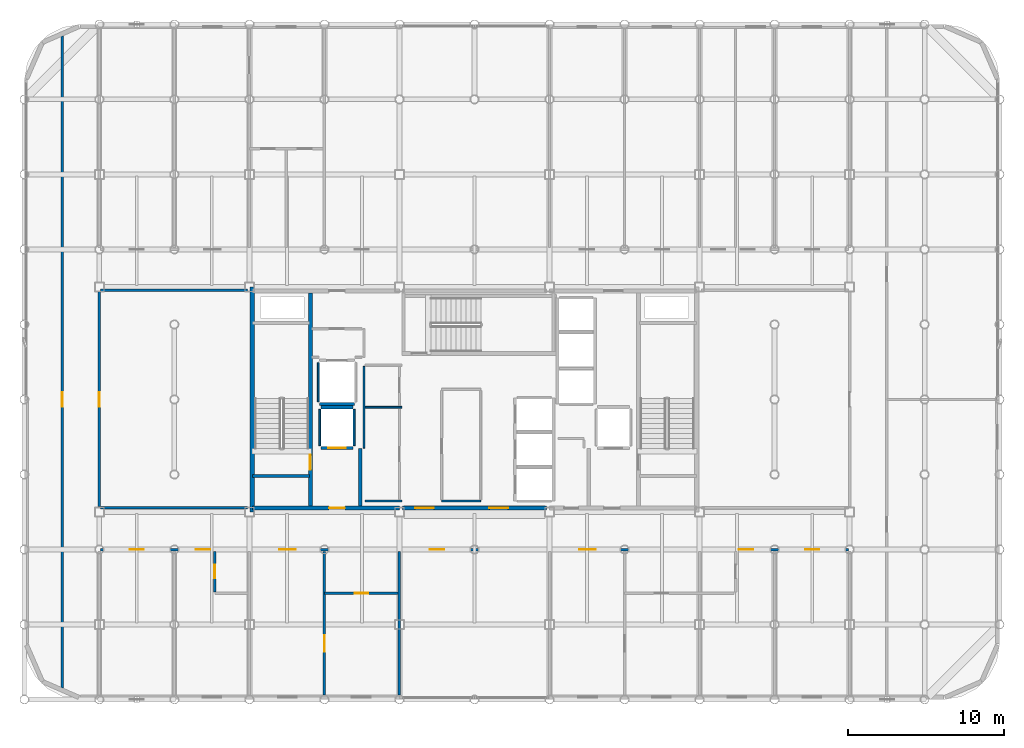
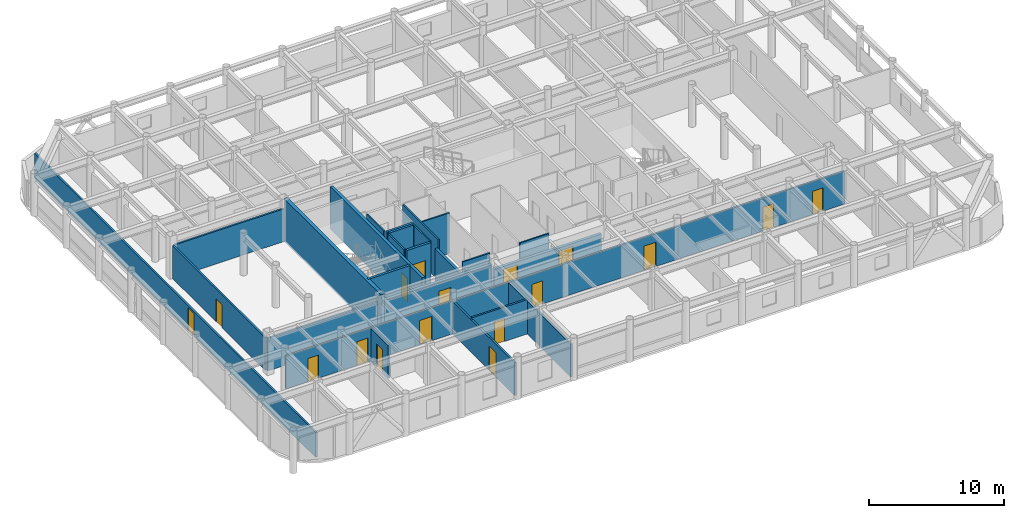
# One storey, part 18 of 22: 25 walls, 17 doors, 17 openings.
"""IFC4 building model written with IfcOpenShell, lengths in metres."""

import ifcopenshell
import ifcopenshell.guid

model = None  # the IFC model being written
_history = None  # IfcOwnerHistory: only IFC2X3 demands one
_inside = {}  # id of a spatial element -> (the spatial element, [elements in it])
_under = {}  # id of a project, library or spatial element -> (it, [spatial elements below it])
_declared = {}  # id of a project -> (the project, [libraries it declares])
_typed = {}  # id of a type object -> (the type object, [elements of that type])
_made_of = {}  # id of a material, layer set ... -> (it, [elements and type objects made of it])


def new_model(schema):
    """Start an empty IFC model of exactly this schema.

    Asked for "IFC4X3", IfcOpenShell would pick the latest addendum, in which some entities
    have other attributes; the version numbers below select the first issue.
    IFC2X3 requires an IfcOwnerHistory on every rooted entity: one is made here for all.
    """
    global model, _history
    if schema == "IFC4X3":
        model = ifcopenshell.file(schema_version=(4, 3, 0, 0))
    else:
        model = ifcopenshell.file(schema=schema)
    _inside.clear()
    _under.clear()
    _declared.clear()
    _typed.clear()
    _made_of.clear()
    _history = None
    if model.schema == "IFC2X3":
        org = make("IfcOrganization", Name="unknown")
        user = make(
            "IfcPersonAndOrganization",
            ThePerson=make("IfcPerson", FamilyName="unknown"),
            TheOrganization=org,
        )
        app = make(
            "IfcApplication",
            ApplicationDeveloper=org,
            Version="unknown",
            ApplicationFullName="unknown",
            ApplicationIdentifier="unknown",
        )
        _history = make(
            "IfcOwnerHistory",
            OwningUser=user,
            OwningApplication=app,
            ChangeAction="ADDED",
            CreationDate=0,
        )
    return model


def make(cls, **values):
    """One entity of the class cls with the attributes given. An attribute that is None is left unset."""
    return model.create_entity(
        cls, **{name: value for name, value in values.items() if value is not None}
    )


def rooted(cls, **values):
    """An entity with a GlobalId (a new one), such as an element, a storey or a relation."""
    return make(cls, GlobalId=ifcopenshell.guid.new(), OwnerHistory=_history, **values)


def si_unit(unit_type, name, prefix=None):
    """IfcSIUnit, for example si_unit("LENGTHUNIT", "METRE", prefix="MILLI")."""
    return make("IfcSIUnit", UnitType=unit_type, Prefix=prefix, Name=name)


def assignment(units):
    """IfcUnitAssignment: the units of a project."""
    return None if units is None else make("IfcUnitAssignment", Units=units)


def point(xyz):
    """IfcCartesianPoint."""
    return None if xyz is None else make("IfcCartesianPoint", Coordinates=xyz)


def direction(xyz):
    """IfcDirection."""
    return None if xyz is None else make("IfcDirection", DirectionRatios=xyz)


def frame(location, z_axis=None, x_axis=None):
    """IfcAxis2Placement3D, a coordinate frame: its origin and axes. An axis left out is left unset."""
    return make(
        "IfcAxis2Placement3D",
        Location=point(location),
        Axis=direction(z_axis),
        RefDirection=direction(x_axis),
    )


def frame_2d(location, x_axis=None):
    """IfcAxis2Placement2D, a coordinate frame in the plane: its origin and x axis."""
    return make(
        "IfcAxis2Placement2D", Location=point(location), RefDirection=direction(x_axis)
    )


def origin():
    """The frame at (0, 0, 0) with its axes left unset."""
    return frame((0.0, 0.0, 0.0))


def place(relative_to, where):
    """IfcLocalPlacement: puts the frame where relative to a parent placement (None: the world)."""
    return make(
        "IfcLocalPlacement", PlacementRelTo=relative_to, RelativePlacement=where
    )


def context(
    kind, dimensions, precision=None, world=None, true_north=None, identifier=None
):
    """IfcGeometricRepresentationContext, for example the 3D "Model" context."""
    return make(
        "IfcGeometricRepresentationContext",
        ContextIdentifier=identifier,
        ContextType=kind,
        CoordinateSpaceDimension=dimensions,
        Precision=precision,
        WorldCoordinateSystem=world,
        TrueNorth=true_north,
    )


def subcontext(parent, identifier, kind, view, scale=None):
    """IfcGeometricRepresentationSubContext, for example "Body" below "Model"."""
    return make(
        "IfcGeometricRepresentationSubContext",
        ContextIdentifier=identifier,
        ContextType=kind,
        ParentContext=parent,
        TargetScale=scale,
        TargetView=view,
    )


def project(units=None, contexts=None):
    """IfcProject with its units and contexts."""
    return rooted(
        "IfcProject",
        Name="project",
        RepresentationContexts=contexts,
        UnitsInContext=assignment(units),
    )


def spatial(cls, under=None, at=None, **own):
    """A site, building, storey or space (cls), placed at a placement, below another one or the project."""
    s = rooted(cls, ObjectPlacement=at, **own)
    if under is not None:
        _under.setdefault(under.id(), (under, []))[1].append(s)
    return s


def profile(cls, at=None, kind="AREA", **sizes):
    """A parametric profile (cls). Its sizes go by their IFC names, for example OverallWidth=200.0."""
    return make(cls, ProfileType=kind, Position=at, **sizes)


def rectangle(**sizes):
    """IfcRectangleProfileDef."""
    return profile("IfcRectangleProfileDef", **sizes)


def extrude(swept, where, along, depth):
    """IfcExtrudedAreaSolid: the profile swept, set in the frame where, extruded along a direction by depth."""
    return make(
        "IfcExtrudedAreaSolid",
        SweptArea=swept,
        Position=where,
        ExtrudedDirection=direction(along),
        Depth=depth,
    )


def shape(context_of_items, identifier, shape_type, items):
    """IfcShapeRepresentation: the items that make up one representation, for example the "Body"."""
    return make(
        "IfcShapeRepresentation",
        ContextOfItems=context_of_items,
        RepresentationIdentifier=identifier,
        RepresentationType=shape_type,
        Items=items,
    )


def material(Name=None, Category=None):
    """IfcMaterial."""
    return make("IfcMaterial", Name=Name, Category=Category)


def layer(
    of_material, thickness, ventilated=None, Name=None, Category=None, Priority=None
):
    """IfcMaterialLayer: one layer of a wall or slab, of a material (None: an air gap)."""
    return make(
        "IfcMaterialLayer",
        Material=of_material,
        LayerThickness=thickness,
        IsVentilated=ventilated,
        Name=Name,
        Category=Category,
        Priority=Priority,
    )


def layer_set(layers, Name=None):
    """IfcMaterialLayerSet."""
    return make("IfcMaterialLayerSet", MaterialLayers=layers, LayerSetName=Name)


def made_of(thing, what):
    """Note that an element or type object is made of a material, layer set ...; save() writes the relation."""
    if what is not None:
        _made_of.setdefault(what.id(), (what, []))[1].append(thing)
    return thing


def type_object(cls, material=None, **own):
    """A type object (cls), such as IfcWallType, which elements share."""
    return made_of(rooted(cls, **own), material)


def element(
    cls,
    number,
    at=None,
    inside=None,
    cuts=None,
    type_object=None,
    material=None,
    context=None,
    identifier="Body",
    shape_type=None,
    held_by="IfcProductDefinitionShape",
    body=None,
    shapes=None,
    **own,
):
    """One element of the class cls, such as IfcWall. Its Tag is "e" and its number.

    at: its placement. inside: the storey or other place that contains it. cuts: it is an
    opening in that element (IfcRelVoidsElement). A single representation is given by context,
    identifier, shape_type and body (its items); several are given by shapes. held_by: the class
    of the entity that holds the representations. save() writes the other relations.
    """
    e = rooted(cls, Tag="e%d" % number, ObjectPlacement=at, **own)
    if body is not None:
        shapes = [shape(context, identifier, shape_type, body)]
    if shapes is not None:
        e.Representation = make(held_by, Representations=shapes)
    if inside is not None:
        _inside.setdefault(inside.id(), (inside, []))[1].append(e)
    if cuts is not None:
        rooted(
            "IfcRelVoidsElement", RelatingBuildingElement=cuts, RelatedOpeningElement=e
        )
    if type_object is not None:
        _typed.setdefault(type_object.id(), (type_object, []))[1].append(e)
    return made_of(e, material)


def fill(opening, filler):
    """IfcRelFillsElement: the door or window that sits in an opening."""
    return rooted(
        "IfcRelFillsElement",
        RelatingOpeningElement=opening,
        RelatedBuildingElement=filler,
    )


def aggregate(whole, parts):
    """IfcRelAggregates: a whole, such as a stair, and the parts it consists of."""
    return rooted("IfcRelAggregates", RelatingObject=whole, RelatedObjects=parts)


def save(model, path):
    """Write the relations noted so far, then the file.

    IfcRelAggregates (storeys below a building ...), IfcRelContainedInSpatialStructure (elements
    in a storey), IfcRelDefinesByType, IfcRelAssociatesMaterial and IfcRelDeclares: one each for
    every whole, place, type object, material and project.
    """
    for whole, parts in _under.values():
        aggregate(whole, parts)
    for where, things in _inside.values():
        rooted(
            "IfcRelContainedInSpatialStructure",
            RelatedElements=things,
            RelatingStructure=where,
        )
    for kind, things in _typed.values():
        rooted("IfcRelDefinesByType", RelatedObjects=things, RelatingType=kind)
    for what, things in _made_of.values():
        rooted("IfcRelAssociatesMaterial", RelatedObjects=things, RelatingMaterial=what)
    for by, libraries in _declared.values():
        rooted("IfcRelDeclares", RelatingContext=by, RelatedDefinitions=libraries)
    model.write(path)


model = new_model("IFC4")

# Units and contexts
model_context = context("Model", 3, precision=1e-05, world=origin(), true_north=direction((0.0, 1.0)))
body_context = subcontext(model_context, "Body", "Model", "MODEL_VIEW")
ifc_project = project(units=[si_unit("LENGTHUNIT", "METRE"), si_unit("AREAUNIT", "SQUARE_METRE"), si_unit("VOLUMEUNIT", "CUBIC_METRE"), si_unit("PLANEANGLEUNIT", "RADIAN"), si_unit("MASSUNIT", "GRAM", prefix="KILO")], contexts=[model_context])

# Site, building, storey
site_placement = place(None, origin())
site = spatial("IfcSite", under=ifc_project, at=site_placement, CompositionType="ELEMENT")
building_placement = place(site_placement, origin())
building = spatial("IfcBuilding", under=site, at=building_placement, Name="Kallvorn Hotel Tower", CompositionType="ELEMENT")
storey_placement = place(building_placement, frame((0.0, 0.0, 241.550048828125)))
storey = spatial("IfcBuildingStorey", under=building, at=storey_placement, Name="L60", CompositionType="ELEMENT", Elevation=241.550048828125)

# Wall
ifc_material_1 = material(Name="Concrete C50/60", Category="concrete")
ifc_layer_1 = layer(ifc_material_1, 0.300048828125)
ifc_layer_set_1 = layer_set([ifc_layer_1], Name="WL_CORE_300")
wall_type_1 = type_object("IfcWallType", Name="WL_CORE_300", PredefinedType="SHEAR", material=ifc_layer_set_1)
wall_1_placement = place(storey_placement, frame((-14.215087890625, -7.199951171875, -0.179931640625), z_axis=(0.0, 0.0, 1.0), x_axis=(0.0, 1.0, 0.0)))
element("IfcWall", 1, at=wall_1_placement, inside=storey, type_object=wall_type_1, Name="L60 Core West Shear Wall", PredefinedType="SHEAR", context=body_context, shape_type="SweptSolid", body=[
    extrude(rectangle(XDim=14.39990234375, YDim=0.300048828125, at=frame_2d((7.199951171875, 0.0))), origin(), (0.0, 0.0, 1.0), 3.849853515625),
])

# Wall, opening, door
ifc_material_2 = material(Name="Fire-rated double-layer acoustic gypsum drywall EI 60")
ifc_layer_2 = layer(ifc_material_2, 0.159912109375)
ifc_layer_set_2 = layer_set([ifc_layer_2], Name="WL_DEMISE_160")
wall_type_2 = type_object("IfcWallType", Name="WL_DEMISE_160", PredefinedType="PARTITIONING", material=ifc_layer_set_2)
wall_2_placement = place(storey_placement, frame((-9.60009765625, -12.39501953125, 0.0), z_axis=(0.0, 0.0, 1.0), x_axis=(1.0, 0.0, 0.0)))
wall_2 = element("IfcWall", 2, at=wall_2_placement, inside=storey, type_object=wall_type_2, Name="L60 Suite 6002 Executive Bedroom Partition", PredefinedType="PARTITIONING", context=body_context, shape_type="SweptSolid", body=[
    extrude(rectangle(XDim=4.72021484375, YDim=0.159912109375, at=frame_2d((2.360107421875, 0.0))), origin(), (0.0, 0.0, 1.0), 3.119873046875),
])
opening_1_placement = place(wall_2_placement, frame((1.929931640625, 0.0, 0.0)))
opening_1 = element("IfcOpeningElement", 3, at=opening_1_placement, cuts=wall_2, Name="Opening BD-I", PredefinedType="OPENING", context=body_context, shape_type="SweptSolid", body=[
    extrude(rectangle(XDim=0.860107421875, YDim=2.10009765625, at=frame_2d((0.43017578125, 1.050048828125))), frame((0.0, 0.094970703125, 0.0), z_axis=(0.0, -1.0, 0.0), x_axis=(1.0, 0.0, 0.0)), (0.0, 0.0, 1.0), 0.18994140625),
])
ifc_material_3 = material(Name="Solid-core walnut veneer fire-rated timber door leaf", Category="wood")
door_type_1 = type_object("IfcDoorType", Name="DR_BATH_860x2100", OperationType="NOTDEFINED", PredefinedType="DOOR", material=ifc_material_3)
door_1_placement = place(opening_1_placement, origin())
door_1 = element("IfcDoor", 4, at=door_1_placement, inside=storey, type_object=door_type_1, Name="L60 Suite 6002 En-Suite Bathroom Door", OperationType="SINGLE_SWING_LEFT", OverallHeight=2.10009765625, OverallWidth=0.860107421875, PredefinedType="DOOR", context=body_context, shape_type="SweptSolid", body=[
    extrude(rectangle(XDim=0.860107421875, YDim=2.10009765625, at=frame_2d((0.43017578125, 1.050048828125))), frame((0.0, 0.02490234375, 0.0), z_axis=(0.0, -1.0, 0.0), x_axis=(1.0, 0.0, 0.0)), (0.0, 0.0, 1.0), 0.050048828125),
])
fill(opening_1, door_1)

# Wall, openings, doors
wall_3_placement = place(storey_placement, frame((-23.919921875, -9.60009765625, 0.0), z_axis=(0.0, 0.0, 1.0), x_axis=(1.0, 0.0, 0.0)))
wall_3 = element("IfcWall", 5, at=wall_3_placement, inside=storey, type_object=wall_type_2, Name="L60 Suite 6001 Superior Twin Room Partition", PredefinedType="PARTITIONING", context=body_context, shape_type="SweptSolid", body=[
    extrude(rectangle(XDim=47.83984375, YDim=0.159912109375, at=frame_2d((23.919921875, 0.0))), origin(), (0.0, 0.0, 1.0), 2.969970703125),
])
opening_2_placement = place(wall_3_placement, frame((1.8701171875, 0.0, 0.0)))
opening_2 = element("IfcOpeningElement", 6, at=opening_2_placement, cuts=wall_3, Name="Opening SVD1", PredefinedType="OPENING", context=body_context, shape_type="SweptSolid", body=[
    extrude(rectangle(XDim=0.89990234375, YDim=2.10009765625, at=frame_2d((0.449951171875, 1.050048828125))), frame((0.0, 0.094970703125, 0.0), z_axis=(0.0, -1.0, 0.0), x_axis=(1.0, 0.0, 0.0)), (0.0, 0.0, 1.0), 0.18994140625),
])
opening_3_placement = place(wall_3_placement, frame((45.070068359375, 0.0, 0.0)))
opening_3 = element("IfcOpeningElement", 7, at=opening_3_placement, cuts=wall_3, Name="Opening SVD1", PredefinedType="OPENING", context=body_context, shape_type="SweptSolid", body=[
    extrude(rectangle(XDim=0.89990234375, YDim=2.10009765625, at=frame_2d((0.449951171875, 1.050048828125))), frame((0.0, 0.094970703125, 0.0), z_axis=(0.0, -1.0, 0.0), x_axis=(1.0, 0.0, 0.0)), (0.0, 0.0, 1.0), 0.18994140625),
])
opening_4_placement = place(wall_3_placement, frame((6.090087890625, 0.0, 0.0)))
opening_4 = element("IfcOpeningElement", 8, at=opening_4_placement, cuts=wall_3, Name="Opening GD1", PredefinedType="OPENING", context=body_context, shape_type="SweptSolid", body=[
    extrude(rectangle(XDim=0.919921875, YDim=2.14990234375, at=frame_2d((0.4599609375, 1.074951171875))), frame((0.0, 0.094970703125, 0.0), z_axis=(0.0, -1.0, 0.0), x_axis=(1.0, 0.0, 0.0)), (0.0, 0.0, 1.0), 0.18994140625),
])
opening_5_placement = place(wall_3_placement, frame((11.43505859375, 0.0, 0.0)))
opening_5 = element("IfcOpeningElement", 9, at=opening_5_placement, cuts=wall_3, Name="Opening GD2", PredefinedType="OPENING", context=body_context, shape_type="SweptSolid", body=[
    extrude(rectangle(XDim=1.050048828125, YDim=2.199951171875, at=frame_2d((0.52490234375, 1.10009765625))), frame((0.0, 0.094970703125, 0.0), z_axis=(0.0, -1.0, 0.0), x_axis=(1.0, 0.0, 0.0)), (0.0, 0.0, 1.0), 0.18994140625),
])
opening_6_placement = place(wall_3_placement, frame((21.070068359375, 0.0, 0.0)))
opening_6 = element("IfcOpeningElement", 10, at=opening_6_placement, cuts=wall_3, Name="Opening SVD1", PredefinedType="OPENING", context=body_context, shape_type="SweptSolid", body=[
    extrude(rectangle(XDim=0.89990234375, YDim=2.10009765625, at=frame_2d((0.449951171875, 1.050048828125))), frame((0.0, 0.094970703125, 0.0), z_axis=(0.0, -1.0, 0.0), x_axis=(1.0, 0.0, 0.0)), (0.0, 0.0, 1.0), 0.18994140625),
])
opening_7_placement = place(wall_3_placement, frame((30.635009765625, 0.0, 0.0)))
opening_7 = element("IfcOpeningElement", 11, at=opening_7_placement, cuts=wall_3, Name="Opening GD2", PredefinedType="OPENING", context=body_context, shape_type="SweptSolid", body=[
    extrude(rectangle(XDim=1.050048828125, YDim=2.199951171875, at=frame_2d((0.52490234375, 1.10009765625))), frame((0.0, 0.094970703125, 0.0), z_axis=(0.0, -1.0, 0.0), x_axis=(1.0, 0.0, 0.0)), (0.0, 0.0, 1.0), 0.18994140625),
])
opening_8_placement = place(wall_3_placement, frame((40.830078125, 0.0, 0.0)))
opening_8 = element("IfcOpeningElement", 12, at=opening_8_placement, cuts=wall_3, Name="Opening GD1", PredefinedType="OPENING", context=body_context, shape_type="SweptSolid", body=[
    extrude(rectangle(XDim=0.919921875, YDim=2.14990234375, at=frame_2d((0.4599609375, 1.074951171875))), frame((0.0, 0.094970703125, 0.0), z_axis=(0.0, -1.0, 0.0), x_axis=(1.0, 0.0, 0.0)), (0.0, 0.0, 1.0), 0.18994140625),
])
ifc_material_4 = material(Name="Solid-core walnut veneer fire-rated timber door leaf", Category="wood")
door_type_2 = type_object("IfcDoorType", Name="DR_GUEST_920x2150", OperationType="NOTDEFINED", PredefinedType="DOOR", material=ifc_material_4)
door_2_placement = place(opening_4_placement, origin())
door_2 = element("IfcDoor", 13, at=door_2_placement, inside=storey, type_object=door_type_2, Name="L60 Suite 6001 Superior Twin Room Door", OperationType="SINGLE_SWING_RIGHT", OverallHeight=2.14990234375, OverallWidth=0.919921875, PredefinedType="DOOR", context=body_context, shape_type="SweptSolid", body=[
    extrude(rectangle(XDim=0.919921875, YDim=2.14990234375, at=frame_2d((0.4599609375, 1.074951171875))), frame((0.0, 0.02490234375, 0.0), z_axis=(0.0, -1.0, 0.0), x_axis=(1.0, 0.0, 0.0)), (0.0, 0.0, 1.0), 0.050048828125),
])
fill(opening_4, door_2)
door_3_placement = place(opening_8_placement, origin())
door_3 = element("IfcDoor", 14, at=door_3_placement, inside=storey, type_object=door_type_2, Name="L60 Suite 6004 Deluxe King Room Door", OperationType="SINGLE_SWING_RIGHT", OverallHeight=2.14990234375, OverallWidth=0.919921875, PredefinedType="DOOR", context=body_context, shape_type="SweptSolid", body=[
    extrude(rectangle(XDim=0.919921875, YDim=2.14990234375, at=frame_2d((0.4599609375, 1.074951171875))), frame((0.0, 0.02490234375, 0.0), z_axis=(0.0, -1.0, 0.0), x_axis=(1.0, 0.0, 0.0)), (0.0, 0.0, 1.0), 0.050048828125),
])
fill(opening_8, door_3)
ifc_material_5 = material(Name="Galvanised painted steel fire-rated door assembly", Category="steel")
door_type_3 = type_object("IfcDoorType", Name="DR_SERV_900x2100", OperationType="NOTDEFINED", PredefinedType="DOOR", material=ifc_material_5)
door_4_placement = place(opening_2_placement, origin())
door_4 = element("IfcDoor", 15, at=door_4_placement, inside=storey, type_object=door_type_3, Name="L60 L60 High-Zone South-West Tea Bar Door", OperationType="SINGLE_SWING_RIGHT", OverallHeight=2.10009765625, OverallWidth=0.89990234375, PredefinedType="DOOR", context=body_context, shape_type="SweptSolid", body=[
    extrude(rectangle(XDim=0.89990234375, YDim=2.10009765625, at=frame_2d((0.449951171875, 1.050048828125))), frame((0.0, 0.02490234375, 0.0), z_axis=(0.0, -1.0, 0.0), x_axis=(1.0, 0.0, 0.0)), (0.0, 0.0, 1.0), 0.050048828125),
])
fill(opening_2, door_4)
door_5_placement = place(opening_3_placement, origin())
door_5 = element("IfcDoor", 16, at=door_5_placement, inside=storey, type_object=door_type_3, Name="L60 L60 High-Zone South-East Wine Bar Door", OperationType="SINGLE_SWING_RIGHT", OverallHeight=2.10009765625, OverallWidth=0.89990234375, PredefinedType="DOOR", context=body_context, shape_type="SweptSolid", body=[
    extrude(rectangle(XDim=0.89990234375, YDim=2.10009765625, at=frame_2d((0.449951171875, 1.050048828125))), frame((0.0, 0.02490234375, 0.0), z_axis=(0.0, -1.0, 0.0), x_axis=(1.0, 0.0, 0.0)), (0.0, 0.0, 1.0), 0.050048828125),
])
fill(opening_3, door_5)
door_6_placement = place(opening_6_placement, origin())
door_6 = element("IfcDoor", 17, at=door_6_placement, inside=storey, type_object=door_type_3, Name="L60 L60 Curated Emerald Craft Retail Boutique 3 Door", OperationType="SINGLE_SWING_LEFT", OverallHeight=2.10009765625, OverallWidth=0.89990234375, PredefinedType="DOOR", context=body_context, shape_type="SweptSolid", body=[
    extrude(rectangle(XDim=0.89990234375, YDim=2.10009765625, at=frame_2d((0.449951171875, 1.050048828125))), frame((0.0, 0.02490234375, 0.0), z_axis=(0.0, -1.0, 0.0), x_axis=(1.0, 0.0, 0.0)), (0.0, 0.0, 1.0), 0.050048828125),
])
fill(opening_6, door_6)
ifc_material_6 = material(Name="Solid-core walnut veneer fire-rated timber door leaf", Category="wood")
door_type_4 = type_object("IfcDoorType", Name="DR_SUITE_1050x2200", OperationType="NOTDEFINED", PredefinedType="DOOR", material=ifc_material_6)
door_7_placement = place(opening_5_placement, origin())
door_7 = element("IfcDoor", 18, at=door_7_placement, inside=storey, type_object=door_type_4, Name="L60 Suite 6002 Executive Living Salon Door", OperationType="SINGLE_SWING_RIGHT", OverallHeight=2.199951171875, OverallWidth=1.050048828125, PredefinedType="DOOR", context=body_context, shape_type="SweptSolid", body=[
    extrude(rectangle(XDim=1.050048828125, YDim=2.199951171875, at=frame_2d((0.52490234375, 1.10009765625))), frame((0.0, 0.02490234375, 0.0), z_axis=(0.0, -1.0, 0.0), x_axis=(1.0, 0.0, 0.0)), (0.0, 0.0, 1.0), 0.050048828125),
])
fill(opening_5, door_7)
door_8_placement = place(opening_7_placement, origin())
door_8 = element("IfcDoor", 19, at=door_8_placement, inside=storey, type_object=door_type_4, Name="L60 Suite 6003 Executive Living Salon Door", OperationType="SINGLE_SWING_RIGHT", OverallHeight=2.199951171875, OverallWidth=1.050048828125, PredefinedType="DOOR", context=body_context, shape_type="SweptSolid", body=[
    extrude(rectangle(XDim=1.050048828125, YDim=2.199951171875, at=frame_2d((0.52490234375, 1.10009765625))), frame((0.0, 0.02490234375, 0.0), z_axis=(0.0, -1.0, 0.0), x_axis=(1.0, 0.0, 0.0)), (0.0, 0.0, 1.0), 0.050048828125),
])
fill(opening_7, door_8)

# Wall, opening, door
wall_4_placement = place(storey_placement, frame((-16.610107421875, -12.31005859375, 0.0), z_axis=(0.0, 0.0, 1.0), x_axis=(0.0, 1.0, 0.0)))
wall_4 = element("IfcWall", 20, at=wall_4_placement, inside=storey, type_object=wall_type_2, Name="L60 Suite 6001 Superior Twin Room Partition", PredefinedType="PARTITIONING", context=body_context, shape_type="SweptSolid", body=[
    extrude(rectangle(XDim=2.590087890625, YDim=0.159912109375, at=frame_2d((1.294921875, 0.0))), origin(), (0.0, 0.0, 1.0), 2.969970703125),
])
opening_9_placement = place(wall_4_placement, frame((0.860107421875, 0.0, 0.0)))
opening_9 = element("IfcOpeningElement", 21, at=opening_9_placement, cuts=wall_4, Name="Opening BD-I", PredefinedType="OPENING", context=body_context, shape_type="SweptSolid", body=[
    extrude(rectangle(XDim=0.860107421875, YDim=2.10009765625, at=frame_2d((0.43017578125, 1.050048828125))), frame((0.0, 0.094970703125, 0.0), z_axis=(0.0, -1.0, 0.0), x_axis=(1.0, 0.0, 0.0)), (0.0, 0.0, 1.0), 0.18994140625),
])
door_9_placement = place(opening_9_placement, origin())
door_9 = element("IfcDoor", 22, at=door_9_placement, inside=storey, type_object=door_type_1, Name="L60 Suite 6001 En-Suite Bathroom Door", OperationType="SINGLE_SWING_RIGHT", OverallHeight=2.10009765625, OverallWidth=0.860107421875, PredefinedType="DOOR", context=body_context, shape_type="SweptSolid", body=[
    extrude(rectangle(XDim=0.860107421875, YDim=2.10009765625, at=frame_2d((0.43017578125, 1.050048828125))), frame((0.0, 0.02490234375, 0.0), z_axis=(0.0, -1.0, 0.0), x_axis=(1.0, 0.0, 0.0)), (0.0, 0.0, 1.0), 0.050048828125),
])
fill(opening_9, door_9)

wall_5_placement = place(storey_placement, frame((-9.60009765625, -18.909912109375, 0.0), z_axis=(0.0, 0.0, 1.0), x_axis=(0.0, 1.0, 0.0)))
wall_5 = element("IfcWall", 23, at=wall_5_placement, inside=storey, type_object=wall_type_2, Name="L60 Suite 6002 Executive Bedroom Partition", PredefinedType="PARTITIONING", context=body_context, shape_type="SweptSolid", body=[
    extrude(rectangle(XDim=9.18994140625, YDim=0.159912109375, at=frame_2d((4.594970703125, 0.0))), origin(), (0.0, 0.0, 1.0), 2.969970703125),
])
opening_10_placement = place(wall_5_placement, frame((2.77490234375, 0.0, 0.0)))
opening_10 = element("IfcOpeningElement", 24, at=opening_10_placement, cuts=wall_5, Name="Opening GD2", PredefinedType="OPENING", context=body_context, shape_type="SweptSolid", body=[
    extrude(rectangle(XDim=1.050048828125, YDim=2.199951171875, at=frame_2d((0.52490234375, 1.10009765625))), frame((0.0, 0.094970703125, 0.0), z_axis=(0.0, -1.0, 0.0), x_axis=(1.0, 0.0, 0.0)), (0.0, 0.0, 1.0), 0.18994140625),
])
door_10_placement = place(opening_10_placement, origin())
door_10 = element("IfcDoor", 25, at=door_10_placement, inside=storey, type_object=door_type_4, Name="L60 Suite 6002 Executive Bedroom Door", OperationType="SINGLE_SWING_LEFT", OverallHeight=2.199951171875, OverallWidth=1.050048828125, PredefinedType="DOOR", context=body_context, shape_type="SweptSolid", body=[
    extrude(rectangle(XDim=1.050048828125, YDim=2.199951171875, at=frame_2d((0.52490234375, 1.10009765625))), frame((0.0, 0.02490234375, 0.0), z_axis=(0.0, -1.0, 0.0), x_axis=(1.0, 0.0, 0.0)), (0.0, 0.0, 1.0), 0.050048828125),
])
fill(opening_10, door_10)

# Walls
wall_6_placement = place(storey_placement, frame((-4.800048828125, -18.909912109375, 0.0), z_axis=(0.0, 0.0, 1.0), x_axis=(0.0, 1.0, 0.0)))
element("IfcWall", 26, at=wall_6_placement, inside=storey, type_object=wall_type_2, Name="L60 Suite 6002 Executive Bedroom Partition", PredefinedType="PARTITIONING", context=body_context, shape_type="SweptSolid", body=[
    extrude(rectangle(XDim=9.18994140625, YDim=0.159912109375, at=frame_2d((4.594970703125, 0.0))), origin(), (0.0, 0.0, 1.0), 2.969970703125),
])
ifc_material_7 = material(Name="Concrete C40/50", Category="concrete")
ifc_layer_3 = layer(ifc_material_7, 0.219970703125)
ifc_layer_set_3 = layer_set([ifc_layer_3], Name="WL_FFL_220")
wall_type_3 = type_object("IfcWallType", Name="WL_FFL_220", PredefinedType="SOLIDWALL", material=ifc_layer_set_3)
wall_7_placement = place(storey_placement, frame((-7.300048828125, -6.820068359375, 0.0), z_axis=(0.0, 0.0, 1.0), x_axis=(0.0, 1.0, 0.0)))
element("IfcWall", 27, at=wall_7_placement, inside=storey, type_object=wall_type_3, Name="L60 Firefighting Lobby West Divider Wall", PredefinedType="SOLIDWALL", context=body_context, shape_type="SweptSolid", body=[
    extrude(rectangle(XDim=3.670166015625, YDim=0.219970703125, at=frame_2d((1.8349609375, 0.0))), origin(), (0.0, 0.0, 1.0), 2.969970703125),
])
ifc_material_8 = material(Name="Concrete C40/50", Category="concrete")
ifc_layer_4 = layer(ifc_material_8, 0.199951171875)
ifc_layer_set_4 = layer_set([ifc_layer_4], Name="WL_HOIST_200")
wall_type_4 = type_object("IfcWallType", Name="WL_HOIST_200", PredefinedType="SOLIDWALL", material=ifc_layer_set_4)
wall_8_placement = place(storey_placement, frame((-14.199951171875, -4.89990234375, -0.179931640625), z_axis=(0.0, 0.0, 1.0), x_axis=(1.0, 0.0, 0.0)))
element("IfcWall", 28, at=wall_8_placement, inside=storey, type_object=wall_type_4, Name="L60 Stair ST1 South Wall", PredefinedType="SOLIDWALL", context=body_context, shape_type="SweptSolid", body=[
    extrude(rectangle(XDim=3.64990234375, YDim=0.199951171875, at=frame_2d((1.824951171875, 0.0))), origin(), (0.0, 0.0, 1.0), 3.849853515625),
])

# Wall, opening, door
wall_9_placement = place(storey_placement, frame((-9.820068359375, -3.10009765625, 0.0), z_axis=(0.0, 0.0, 1.0), x_axis=(1.0, 0.0, 0.0)))
wall_9 = element("IfcWall", 29, at=wall_9_placement, inside=storey, type_object=wall_type_4, Name="L60 FL-1 Landing Wall", PredefinedType="SOLIDWALL", context=body_context, shape_type="SweptSolid", body=[
    extrude(rectangle(XDim=2.0400390625, YDim=0.199951171875, at=frame_2d((1.02001953125, 0.0))), origin(), (0.0, 0.0, 1.0), 3.669921875),
])
opening_11_placement = place(wall_9_placement, frame((0.469970703125, 0.0, 0.0)))
opening_11 = element("IfcOpeningElement", 30, at=opening_11_placement, cuts=wall_9, Name="Opening LD-FL-1", PredefinedType="OPENING", context=body_context, shape_type="SweptSolid", body=[
    extrude(rectangle(XDim=1.10009765625, YDim=2.199951171875, at=frame_2d((0.550048828125, 1.10009765625))), frame((0.0, 0.114990234375, 0.0), z_axis=(0.0, -1.0, 0.0), x_axis=(1.0, 0.0, 0.0)), (0.0, 0.0, 1.0), 0.22998046875),
])
ifc_material_9 = material(Name="Brushed stainless-steel automatic sliding lift landing door", Category="steel")
door_type_5 = type_object("IfcDoorType", Name="LD_PASS_1100x2200", OperationType="SLIDING_TO_LEFT", PredefinedType="DOOR", material=ifc_material_9)
door_11_placement = place(opening_11_placement, origin())
door_11 = element("IfcDoor", 31, at=door_11_placement, inside=storey, type_object=door_type_5, Name="L60 Lift Landing Sliding Door LD-FL-1", OperationType="SLIDING_TO_LEFT", OverallHeight=2.199951171875, OverallWidth=1.10009765625, PredefinedType="DOOR", context=body_context, shape_type="SweptSolid", body=[
    extrude(rectangle(XDim=1.10009765625, YDim=2.199951171875, at=frame_2d((0.550048828125, 1.10009765625))), frame((0.0, 0.02490234375, 0.0), z_axis=(0.0, -1.0, 0.0), x_axis=(1.0, 0.0, 0.0)), (0.0, 0.0, 1.0), 0.050048828125),
])
fill(opening_11, door_11)

# Walls
wall_10_placement = place(storey_placement, frame((-9.820068359375, -0.5, 0.0), z_axis=(0.0, 0.0, 1.0), x_axis=(1.0, 0.0, 0.0)))
element("IfcWall", 32, at=wall_10_placement, inside=storey, type_object=wall_type_4, Name="L60 FL-1 Rear Shaft Wall", PredefinedType="SOLIDWALL", context=body_context, shape_type="SweptSolid", body=[
    extrude(rectangle(XDim=2.0400390625, YDim=0.199951171875, at=frame_2d((1.02001953125, 0.0))), origin(), (0.0, 0.0, 1.0), 3.669921875),
])
wall_11_placement = place(storey_placement, frame((-9.919921875, -0.300048828125, 0.0), z_axis=(0.0, 0.0, 1.0), x_axis=(1.0, 0.0, 0.0)))
element("IfcWall", 33, at=wall_11_placement, inside=storey, type_object=wall_type_4, Name="L60 SV-01 Rear Shaft Wall", PredefinedType="SOLIDWALL", context=body_context, shape_type="SweptSolid", body=[
    extrude(rectangle(XDim=2.239990234375, YDim=0.199951171875, at=frame_2d((1.1201171875, 0.0))), origin(), (0.0, 0.0, 1.0), 3.669921875),
])
ifc_material_10 = material(Name="Fire-rated double-layer acoustic gypsum drywall EI 60")
ifc_layer_5 = layer(ifc_material_10, 0.1201171875)
ifc_layer_set_5 = layer_set([ifc_layer_5], Name="WL_INT_120")
wall_type_5 = type_object("IfcWallType", Name="WL_INT_120", PredefinedType="PARTITIONING", material=ifc_layer_set_5)
for number, where, z_axis, x_axis, name in (
    (34, (-9.89990234375, -2.9599609375, 0.0), (0.0, 0.0, 1.0), (0.0, 1.0, 0.0), "L60 FL-1 West Shaft Wall"),
    (35, (-7.699951171875, -2.9599609375, 0.0), (0.0, 0.0, 1.0), (0.0, 1.0, 0.0), "L60 FL-1 East Shaft Wall"),
):
    element("IfcWall", number, at=place(storey_placement, frame(where, z_axis=z_axis, x_axis=x_axis)), inside=storey, type_object=wall_type_5, Name=name, PredefinedType="PARTITIONING", context=body_context, shape_type="SweptSolid", body=[
        extrude(rectangle(XDim=2.320068359375, YDim=0.1201171875, at=frame_2d((1.16015625, 0.0))), origin(), (0.0, 0.0, 1.0), 3.669921875),
    ])
wall_12_placement = place(storey_placement, frame((-10.0, -0.159912109375, 0.0), z_axis=(0.0, 0.0, 1.0), x_axis=(0.0, 1.0, 0.0)))
element("IfcWall", 36, at=wall_12_placement, inside=storey, type_object=wall_type_5, Name="L60 SV-01 West Shaft Wall", PredefinedType="PARTITIONING", context=body_context, shape_type="SweptSolid", body=[
    extrude(rectangle(XDim=2.52001953125, YDim=0.1201171875, at=frame_2d((1.260009765625, 0.0))), origin(), (0.0, 0.0, 1.0), 3.669921875),
])
wall_13_placement = place(storey_placement, frame((-7.0, -6.5, 0.0), z_axis=(0.0, 0.0, 1.0), x_axis=(1.0, 0.0, 0.0)))
element("IfcWall", 37, at=wall_13_placement, inside=storey, type_object=wall_type_5, Name="L60 Recaptured Full-Depth Sommelier Store Partition", PredefinedType="PARTITIONING", context=body_context, shape_type="SweptSolid", body=[
    extrude(rectangle(XDim=2.35009765625, YDim=0.1201171875, at=frame_2d((1.175048828125, 0.0))), origin(), (0.0, 0.0, 1.0), 3.669921875),
])
wall_14_placement = place(storey_placement, frame((-2.10009765625, -6.5, 0.0), z_axis=(0.0, 0.0, 1.0), x_axis=(1.0, 0.0, 0.0)))
element("IfcWall", 38, at=wall_14_placement, inside=storey, type_object=wall_type_5, Name="L60 High-Zone IT and Tableware Reserve Room Partition", PredefinedType="PARTITIONING", context=body_context, shape_type="SweptSolid", body=[
    extrude(rectangle(XDim=2.5, YDim=0.1201171875, at=frame_2d((1.25, 0.0))), origin(), (0.0, 0.0, 1.0), 3.669921875),
])
wall_15_placement = place(storey_placement, frame((-7.0, -0.5, 0.0), z_axis=(0.0, 0.0, 1.0), x_axis=(1.0, 0.0, 0.0)))
element("IfcWall", 39, at=wall_15_placement, inside=storey, type_object=wall_type_5, Name="L60 Recaptured Full-Depth Sommelier Store Partition", PredefinedType="PARTITIONING", context=body_context, shape_type="SweptSolid", body=[
    extrude(rectangle(XDim=2.35009765625, YDim=0.1201171875, at=frame_2d((1.175048828125, 0.0))), origin(), (0.0, 0.0, 1.0), 3.669921875),
])
wall_16_placement = place(storey_placement, frame((-7.066650390625, -3.110107421875, 0.0), z_axis=(0.0, 0.0, 1.0), x_axis=(0.0, 1.0, 0.0)))
element("IfcWall", 40, at=wall_16_placement, inside=storey, type_object=wall_type_5, Name="L60 Recaptured Full-Depth Sommelier Store Partition", PredefinedType="PARTITIONING", context=body_context, shape_type="SweptSolid", body=[
    extrude(rectangle(XDim=5.22509765625, YDim=0.1201171875, at=frame_2d((2.612548828125, 0.0))), origin(), (0.0, 0.0, 1.0), 3.669921875),
])
ifc_material_11 = material(Name="Fire-rated double-layer acoustic gypsum drywall EI 60")
ifc_layer_6 = layer(ifc_material_11, 0.14990234375)
ifc_layer_set_6 = layer_set([ifc_layer_6], Name="WL_PART_150")
wall_type_6 = type_object("IfcWallType", Name="WL_PART_150", PredefinedType="PARTITIONING", material=ifc_layer_set_6)
for number, where, z_axis, x_axis, name in (
    (41, (-23.919921875, -6.919921875, 0.0), (0.0, 0.0, 1.0), (1.0, 0.0, 0.0), "L60 L60 High-Zone Inner West Club Bar Partition"),
    (42, (-23.919921875, 6.97998046875, 0.0), (0.0, 0.0, 1.0), (1.0, 0.0, 0.0), "L60 L60 High-Zone Inner West Club Bar Partition"),
):
    element("IfcWall", number, at=place(storey_placement, frame(where, z_axis=z_axis, x_axis=x_axis)), inside=storey, type_object=wall_type_6, Name=name, PredefinedType="PARTITIONING", context=body_context, shape_type="SweptSolid", body=[
        extrude(rectangle(XDim=9.39990234375, YDim=0.14990234375, at=frame_2d((4.699951171875, 0.0))), origin(), (0.0, 0.0, 1.0), 2.969970703125),
    ])

# Wall, opening, door
wall_17_placement = place(storey_placement, frame((-26.3798828125, -18.447265625, 0.0), z_axis=(0.0, 0.0, 1.0), x_axis=(0.0, 1.0, 0.0)))
wall_17 = element("IfcWall", 43, at=wall_17_placement, inside=storey, type_object=wall_type_6, Name="L60 L60 Outer West Sky Observatory Salon Partition", PredefinedType="PARTITIONING", context=body_context, shape_type="SweptSolid", body=[
    extrude(rectangle(XDim=41.694580078125, YDim=0.14990234375, at=frame_2d((20.84716796875, 0.0))), origin(), (0.0, 0.0, 1.0), 2.27001953125),
])
opening_12_placement = place(wall_17_placement, frame((17.997314453125, 0.0, 0.0)))
opening_12 = element("IfcOpeningElement", 44, at=opening_12_placement, cuts=wall_17, Name="Opening SVD1", PredefinedType="OPENING", context=body_context, shape_type="SweptSolid", body=[
    extrude(rectangle(XDim=0.89990234375, YDim=2.10009765625, at=frame_2d((0.449951171875, 1.050048828125))), frame((0.0, 0.08984375, 0.0), z_axis=(0.0, -1.0, 0.0), x_axis=(1.0, 0.0, 0.0)), (0.0, 0.0, 1.0), 0.179931640625),
])
door_12_placement = place(opening_12_placement, origin())
door_12 = element("IfcDoor", 45, at=door_12_placement, inside=storey, type_object=door_type_3, Name="L60 L60 Outer West Sky Observatory Salon Door", OperationType="SINGLE_SWING_RIGHT", OverallHeight=2.10009765625, OverallWidth=0.89990234375, PredefinedType="DOOR", context=body_context, shape_type="SweptSolid", body=[
    extrude(rectangle(XDim=0.89990234375, YDim=2.10009765625, at=frame_2d((0.449951171875, 1.050048828125))), frame((0.0, 0.02490234375, 0.0), z_axis=(0.0, -1.0, 0.0), x_axis=(1.0, 0.0, 0.0)), (0.0, 0.0, 1.0), 0.050048828125),
])
fill(opening_12, door_12)

wall_18_placement = place(storey_placement, frame((-24.0, -6.8349609375, 0.0), z_axis=(0.0, 0.0, 1.0), x_axis=(0.0, 1.0, 0.0)))
wall_18 = element("IfcWall", 46, at=wall_18_placement, inside=storey, type_object=wall_type_6, Name="L60 L60 High-Zone Inner West Club Bar Partition", PredefinedType="PARTITIONING", context=body_context, shape_type="SweptSolid", body=[
    extrude(rectangle(XDim=13.72998046875, YDim=0.14990234375, at=frame_2d((6.864990234375, 0.0))), origin(), (0.0, 0.0, 1.0), 2.969970703125),
])
opening_13_placement = place(wall_18_placement, frame((6.385009765625, 0.0, 0.0)))
opening_13 = element("IfcOpeningElement", 47, at=opening_13_placement, cuts=wall_18, Name="Opening SVD1", PredefinedType="OPENING", context=body_context, shape_type="SweptSolid", body=[
    extrude(rectangle(XDim=0.89990234375, YDim=2.10009765625, at=frame_2d((0.449951171875, 1.050048828125))), frame((0.0, 0.08984375, 0.0), z_axis=(0.0, -1.0, 0.0), x_axis=(1.0, 0.0, 0.0)), (0.0, 0.0, 1.0), 0.179931640625),
])
door_13_placement = place(opening_13_placement, origin())
door_13 = element("IfcDoor", 48, at=door_13_placement, inside=storey, type_object=door_type_3, Name="L60 L60 High-Zone Inner West Club Bar Door", OperationType="SINGLE_SWING_RIGHT", OverallHeight=2.10009765625, OverallWidth=0.89990234375, PredefinedType="DOOR", context=body_context, shape_type="SweptSolid", body=[
    extrude(rectangle(XDim=0.89990234375, YDim=2.10009765625, at=frame_2d((0.449951171875, 1.050048828125))), frame((0.0, 0.02490234375, 0.0), z_axis=(0.0, -1.0, 0.0), x_axis=(1.0, 0.0, 0.0)), (0.0, 0.0, 1.0), 0.050048828125),
])
fill(opening_13, door_13)

ifc_material_12 = material(Name="Concrete C40/50", Category="concrete")
ifc_layer_7 = layer(ifc_material_12, 0.25)
ifc_layer_set_7 = layer_set([ifc_layer_7], Name="WL_SHAFT_250")
wall_type_7 = type_object("IfcWallType", Name="WL_SHAFT_250", PredefinedType="SOLIDWALL", material=ifc_layer_set_7)
wall_19_placement = place(storey_placement, frame((-14.199951171875, -6.949951171875, 0.0), z_axis=(0.0, 0.0, 1.0), x_axis=(1.0, 0.0, 0.0)))
wall_19 = element("IfcWall", 49, at=wall_19_placement, inside=storey, type_object=wall_type_7, Name="L60 Core South-West Wall", PredefinedType="SOLIDWALL", context=body_context, shape_type="SweptSolid", body=[
    extrude(rectangle(XDim=9.39990234375, YDim=0.25, at=frame_2d((4.699951171875, 0.0))), origin(), (0.0, 0.0, 1.0), 2.969970703125),
])
opening_14_placement = place(wall_19_placement, frame((4.89990234375, 0.0, 0.0)))
opening_14 = element("IfcOpeningElement", 50, at=opening_14_placement, cuts=wall_19, Name="Opening FD1", PredefinedType="OPENING", context=body_context, shape_type="SweptSolid", body=[
    extrude(rectangle(XDim=1.0, YDim=2.14990234375, at=frame_2d((0.5, 1.074951171875))), frame((0.0, 0.139892578125, 0.0), z_axis=(0.0, -1.0, 0.0), x_axis=(1.0, 0.0, 0.0)), (0.0, 0.0, 1.0), 0.280029296875),
])
ifc_material_13 = material(Name="Galvanised painted steel fire-rated door assembly", Category="steel")
door_type_6 = type_object("IfcDoorType", Name="DR_FFL_1000x2150", OperationType="NOTDEFINED", PredefinedType="DOOR", material=ifc_material_13)
door_14_placement = place(opening_14_placement, origin())
door_14 = element("IfcDoor", 51, at=door_14_placement, inside=storey, type_object=door_type_6, Name="L60 Firefighting Lobby West Door", OperationType="SINGLE_SWING_LEFT", OverallHeight=2.14990234375, OverallWidth=1.0, PredefinedType="DOOR", context=body_context, shape_type="SweptSolid", body=[
    extrude(rectangle(XDim=1.0, YDim=2.14990234375, at=frame_2d((0.5, 1.074951171875))), frame((0.0, 0.02490234375, 0.0), z_axis=(0.0, -1.0, 0.0), x_axis=(1.0, 0.0, 0.0)), (0.0, 0.0, 1.0), 0.050048828125),
])
fill(opening_14, door_14)

# Wall, openings, doors
wall_20_placement = place(storey_placement, frame((-4.60009765625, -6.949951171875, 0.0), z_axis=(0.0, 0.0, 1.0), x_axis=(1.0, 0.0, 0.0)))
wall_20 = element("IfcWall", 52, at=wall_20_placement, inside=storey, type_object=wall_type_7, Name="L60 Core South-Central Wall", PredefinedType="SOLIDWALL", context=body_context, shape_type="SweptSolid", body=[
    extrude(rectangle(XDim=9.2001953125, YDim=0.25, at=frame_2d((4.60009765625, 0.0))), origin(), (0.0, 0.0, 1.0), 2.469970703125),
])
opening_15_placement = place(wall_20_placement, frame((0.800048828125, 0.0, 0.0)))
opening_15 = element("IfcOpeningElement", 53, at=opening_15_placement, cuts=wall_20, Name="Opening FD2", PredefinedType="OPENING", context=body_context, shape_type="SweptSolid", body=[
    extrude(rectangle(XDim=1.199951171875, YDim=2.199951171875, at=frame_2d((0.60009765625, 1.10009765625))), frame((0.0, 0.139892578125, 0.0), z_axis=(0.0, -1.0, 0.0), x_axis=(1.0, 0.0, 0.0)), (0.0, 0.0, 1.0), 0.280029296875),
])
opening_16_placement = place(wall_20_placement, frame((5.550048828125, 0.0, 0.0)))
opening_16 = element("IfcOpeningElement", 54, at=opening_16_placement, cuts=wall_20, Name="Opening FD2", PredefinedType="OPENING", context=body_context, shape_type="SweptSolid", body=[
    extrude(rectangle(XDim=1.199951171875, YDim=2.199951171875, at=frame_2d((0.60009765625, 1.10009765625))), frame((0.0, 0.139892578125, 0.0), z_axis=(0.0, -1.0, 0.0), x_axis=(1.0, 0.0, 0.0)), (0.0, 0.0, 1.0), 0.280029296875),
])
ifc_material_14 = material(Name="Galvanised painted steel fire-rated door assembly", Category="steel")
door_type_7 = type_object("IfcDoorType", Name="DR_LOBBY_1200x2200", OperationType="DOUBLE_DOOR_SINGLE_SWING", PredefinedType="DOOR", material=ifc_material_14)
door_15_placement = place(opening_15_placement, origin())
door_15 = element("IfcDoor", 55, at=door_15_placement, inside=storey, type_object=door_type_7, Name="L60 West Passenger Lift Lobby Door", OperationType="DOUBLE_DOOR_SINGLE_SWING", OverallHeight=2.199951171875, OverallWidth=1.199951171875, PredefinedType="DOOR", context=body_context, shape_type="SweptSolid", body=[
    extrude(rectangle(XDim=1.199951171875, YDim=2.199951171875, at=frame_2d((0.60009765625, 1.10009765625))), frame((0.0, 0.02490234375, 0.0), z_axis=(0.0, -1.0, 0.0), x_axis=(1.0, 0.0, 0.0)), (0.0, 0.0, 1.0), 0.050048828125),
])
fill(opening_15, door_15)
door_16_placement = place(opening_16_placement, origin())
door_16 = element("IfcDoor", 56, at=door_16_placement, inside=storey, type_object=door_type_7, Name="L60 East Passenger Lift Lobby Door", OperationType="DOUBLE_DOOR_SINGLE_SWING", OverallHeight=2.199951171875, OverallWidth=1.199951171875, PredefinedType="DOOR", context=body_context, shape_type="SweptSolid", body=[
    extrude(rectangle(XDim=1.199951171875, YDim=2.199951171875, at=frame_2d((0.60009765625, 1.10009765625))), frame((0.0, 0.02490234375, 0.0), z_axis=(0.0, -1.0, 0.0), x_axis=(1.0, 0.0, 0.0)), (0.0, 0.0, 1.0), 0.050048828125),
])
fill(opening_16, door_16)

# Wall, opening, door
wall_21_placement = place(storey_placement, frame((-10.5, -6.820068359375, -0.179931640625), z_axis=(0.0, 0.0, 1.0), x_axis=(0.0, 1.0, 0.0)))
wall_21 = element("IfcWall", 57, at=wall_21_placement, inside=storey, type_object=wall_type_7, Name="L60 Stair ST1 Shaft Wall", PredefinedType="SOLIDWALL", context=body_context, shape_type="SweptSolid", body=[
    extrude(rectangle(XDim=13.64013671875, YDim=0.25, at=frame_2d((6.820068359375, 0.0))), origin(), (0.0, 0.0, 1.0), 3.849853515625),
])
opening_17_placement = place(wall_21_placement, frame((2.320068359375, 0.0, 0.179931640625)))
opening_17 = element("IfcOpeningElement", 58, at=opening_17_placement, cuts=wall_21, Name="Opening SD1", PredefinedType="OPENING", context=body_context, shape_type="SweptSolid", body=[
    extrude(rectangle(XDim=0.949951171875, YDim=2.14990234375, at=frame_2d((0.47509765625, 1.074951171875))), frame((0.0, 0.139892578125, 0.0), z_axis=(0.0, -1.0, 0.0), x_axis=(1.0, 0.0, 0.0)), (0.0, 0.0, 1.0), 0.280029296875),
])
ifc_material_15 = material(Name="Galvanised painted steel fire-rated door assembly", Category="steel")
door_type_8 = type_object("IfcDoorType", Name="DR_STAIR_950x2150", OperationType="NOTDEFINED", PredefinedType="DOOR", material=ifc_material_15)
door_17_placement = place(opening_17_placement, origin())
door_17 = element("IfcDoor", 59, at=door_17_placement, inside=storey, type_object=door_type_8, Name="L60 Exit Stair ST1 Fire Door", OperationType="SINGLE_SWING_LEFT", OverallHeight=2.14990234375, OverallWidth=0.949951171875, PredefinedType="DOOR", context=body_context, shape_type="SweptSolid", body=[
    extrude(rectangle(XDim=0.949951171875, YDim=2.14990234375, at=frame_2d((0.47509765625, 1.074951171875))), frame((0.0, 0.02490234375, 0.0), z_axis=(0.0, -1.0, 0.0), x_axis=(1.0, 0.0, 0.0)), (0.0, 0.0, 1.0), 0.050048828125),
])
fill(opening_17, door_17)

save(model, "model.ifc")
